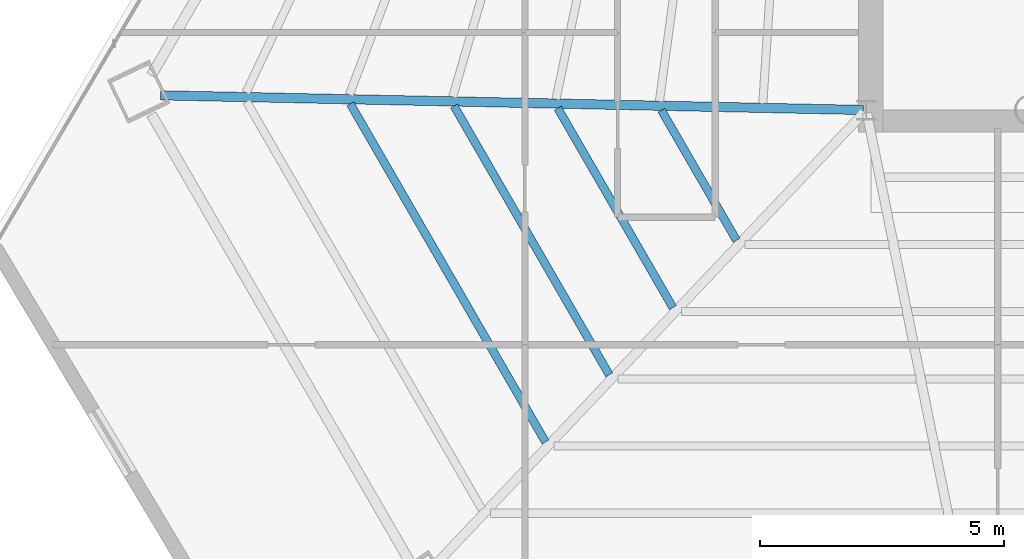
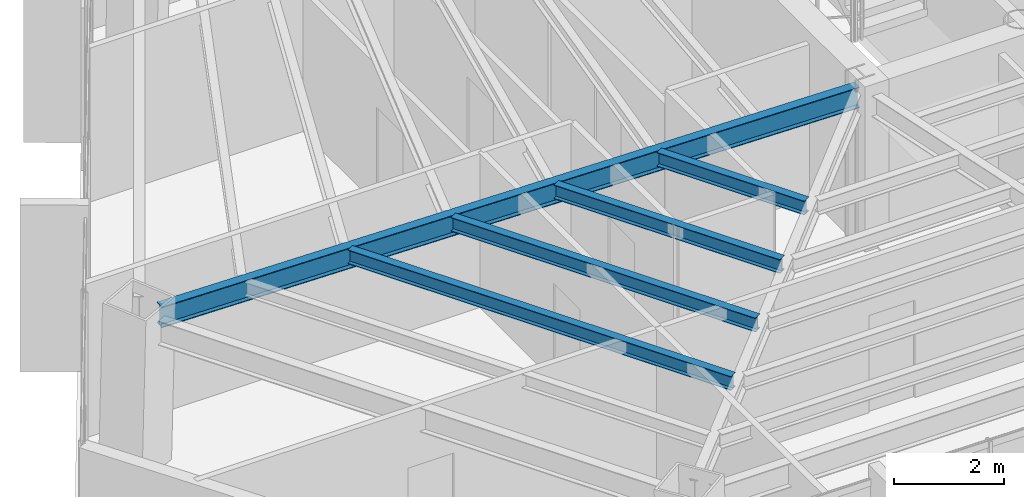
# One storey, part 7 of 41: 5 beams.
"""IFC4 building model written with IfcOpenShell, lengths in metres."""

from ifc_helpers import new_model, si_unit, direction, frame, origin, origin_2d, place, context, subcontext, project, spatial, i_section, extrude, source, transform, mapped, material, material_profile, profile_set, type_object, type_shapes, element, save


model = new_model("IFC4")

# Units and contexts
model_context = context("Model", 3, precision=1e-05, world=origin(), true_north=direction((0.0, 1.0)))
body_context = subcontext(model_context, "Body", "Model", "MODEL_VIEW")
ifc_project = project(units=[si_unit("LENGTHUNIT", "METRE"), si_unit("AREAUNIT", "SQUARE_METRE"), si_unit("VOLUMEUNIT", "CUBIC_METRE"), si_unit("PLANEANGLEUNIT", "RADIAN"), si_unit("MASSUNIT", "GRAM", prefix="KILO")], contexts=[model_context])

# Site, building, storey
site_placement = place(None, origin())
site = spatial("IfcSite", under=ifc_project, at=site_placement, CompositionType="ELEMENT")
building_placement = place(site_placement, origin())
building = spatial("IfcBuilding", under=site, at=building_placement, Name="Caelisora Broadcast Tower", CompositionType="ELEMENT")
storey_placement = place(building_placement, frame((0.0, 0.0, 173.10009765625)))
storey = spatial("IfcBuildingStorey", under=building, at=storey_placement, Name="L45", CompositionType="ELEMENT", Elevation=173.10009765625)

# Beams
ifc_material = material(Name="Steel Grade 350 (AS/NZS 3679.1)", Category="steel")
ifc_material_profile_1 = material_profile(ifc_material, i_section(OverallWidth=0.19091796875, OverallDepth=0.46044921875, WebThickness=0.010009765625, FlangeThickness=0.01611328125, at=origin_2d()), Name="Steel Grade 350 (AS/NZS 3679.1)")
ifc_profile_set_1 = profile_set([ifc_material_profile_1], Name="Steel Grade 350 (AS/NZS 3679.1)")
beam_type_1 = type_object("IfcBeamType", Name="PG06", PredefinedType="BEAM", material=ifc_profile_set_1)
shared_shape_1 = source(origin(), body_context, "Body", "SweptSolid", [
    extrude(i_section(OverallWidth=0.19091796875, OverallDepth=0.46044921875, WebThickness=0.010009765625, FlangeThickness=0.01611328125, at=origin_2d()), origin(), (0.0, 0.0, 1.0), 14.4130859375),
])
type_shapes(beam_type_1, [shared_shape_1])
beam_1_placement = place(storey_placement, frame((30.43994140625, 17.4013671875, 3.169677734375), z_axis=(-0.999781871968, 0.020885604733, 0.0), x_axis=(-0.020885604733, -0.999781871968, 0.0)))
element("IfcBeam", 1, at=beam_1_placement, inside=storey, type_object=beam_type_1, Name="L45 beam PG06", PredefinedType="BEAM", context=body_context, shape_type="MappedRepresentation", body=[
    mapped(shared_shape_1, transform((0.0, 0.0, 0.0), scale=1.0)),
])
ifc_material_profile_2 = material_profile(ifc_material, i_section(OverallWidth=0.166015625, OverallDepth=0.30712890625, WebThickness=0.006591796875, FlangeThickness=0.01171875, at=origin_2d()), Name="Steel Grade 350 (AS/NZS 3679.1)")
ifc_profile_set_2 = profile_set([ifc_material_profile_2], Name="Steel Grade 350 (AS/NZS 3679.1)")
beam_type_2 = type_object("IfcBeamType", Name="SB03", PredefinedType="JOIST", material=ifc_profile_set_2)
shared_shape_2 = source(origin(), body_context, "Body", "SweptSolid", [
    extrude(i_section(OverallWidth=0.166015625, OverallDepth=0.30712890625, WebThickness=0.006591796875, FlangeThickness=0.01171875, at=origin_2d()), origin(), (0.0, 0.0, 1.0), 3.079833984375),
])
beam_2_placement = place(storey_placement, frame((26.300048828125, 17.39501953125, 3.246337890625), z_axis=(0.500026652407, -0.866010015463, 0.0), x_axis=(0.866010015463, 0.500026652407, 0.0)))
element("IfcBeam", 2, at=beam_2_placement, inside=storey, type_object=beam_type_2, Name="L45 beam SB03", PredefinedType="JOIST", context=body_context, shape_type="MappedRepresentation", body=[
    mapped(shared_shape_2, transform((0.0, 0.0, 0.0), scale=1.0)),
])
shared_shape_3 = source(origin(), body_context, "Body", "SweptSolid", [
    extrude(i_section(OverallWidth=0.166015625, OverallDepth=0.30712890625, WebThickness=0.006591796875, FlangeThickness=0.01171875, at=origin_2d()), origin(), (0.0, 0.0, 1.0), 4.721923828125),
])
beam_3_placement = place(storey_placement, frame((24.173095703125, 17.439208984375, 3.246337890625), z_axis=(0.500014851123, -0.866016829315, 0.0), x_axis=(0.866016829315, 0.500014851123, 0.0)))
element("IfcBeam", 3, at=beam_3_placement, inside=storey, type_object=beam_type_2, Name="L45 beam SB03", PredefinedType="JOIST", context=body_context, shape_type="MappedRepresentation", body=[
    mapped(shared_shape_3, transform((0.0, 0.0, 0.0), scale=1.0)),
])
shared_shape_4 = source(origin(), body_context, "Body", "SweptSolid", [
    extrude(i_section(OverallWidth=0.166015625, OverallDepth=0.30712890625, WebThickness=0.006591796875, FlangeThickness=0.01171875, at=origin_2d()), origin(), (0.0, 0.0, 1.0), 6.364990234375),
])
beam_4_placement = place(storey_placement, frame((22.0458984375, 17.48388671875, 3.246337890625), z_axis=(0.499988079127, -0.866032286194, 0.0), x_axis=(0.866032286194, 0.499988079127, 0.0)))
element("IfcBeam", 4, at=beam_4_placement, inside=storey, type_object=beam_type_2, Name="L45 beam SB03", PredefinedType="JOIST", context=body_context, shape_type="MappedRepresentation", body=[
    mapped(shared_shape_4, transform((0.0, 0.0, 0.0), scale=1.0)),
])
shared_shape_5 = source(origin(), body_context, "Body", "SweptSolid", [
    extrude(i_section(OverallWidth=0.166015625, OverallDepth=0.30712890625, WebThickness=0.006591796875, FlangeThickness=0.01171875, at=origin_2d()), origin(), (0.0, 0.0, 1.0), 8.007080078125),
])
type_shapes(beam_type_2, [shared_shape_2, shared_shape_3, shared_shape_4, shared_shape_5])
beam_5_placement = place(storey_placement, frame((19.918701171875, 17.5283203125, 3.246337890625), z_axis=(0.500011898161, -0.866018534269, 0.0), x_axis=(0.866018534269, 0.500011898161, 0.0)))
element("IfcBeam", 5, at=beam_5_placement, inside=storey, type_object=beam_type_2, Name="L45 beam SB03", PredefinedType="JOIST", context=body_context, shape_type="MappedRepresentation", body=[
    mapped(shared_shape_5, transform((0.0, 0.0, 0.0), scale=1.0)),
])

save(model, "model.ifc")
